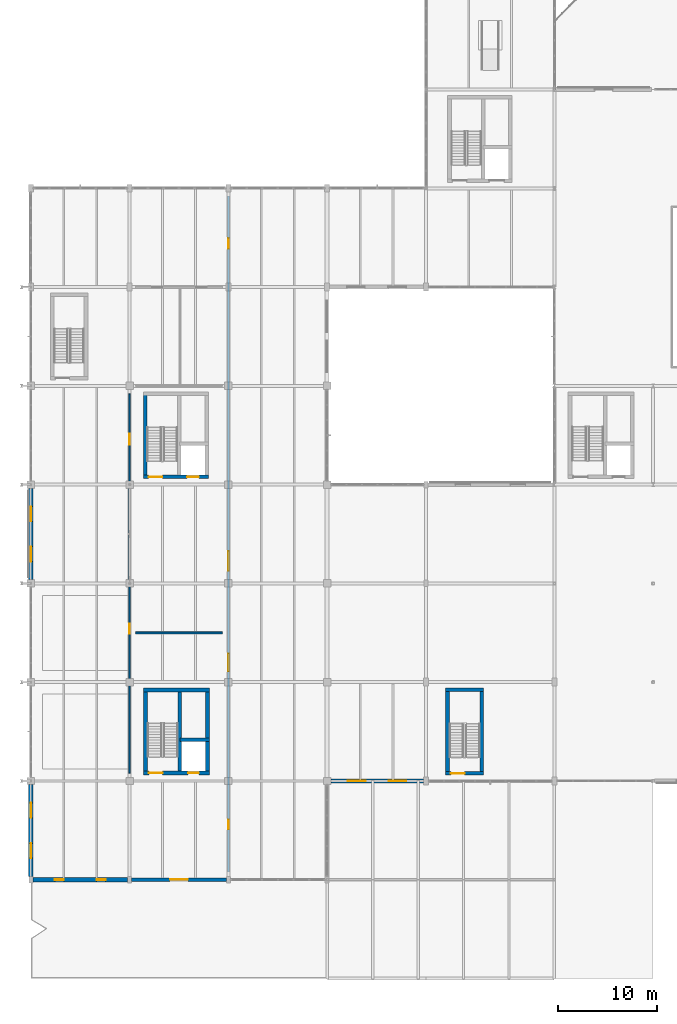
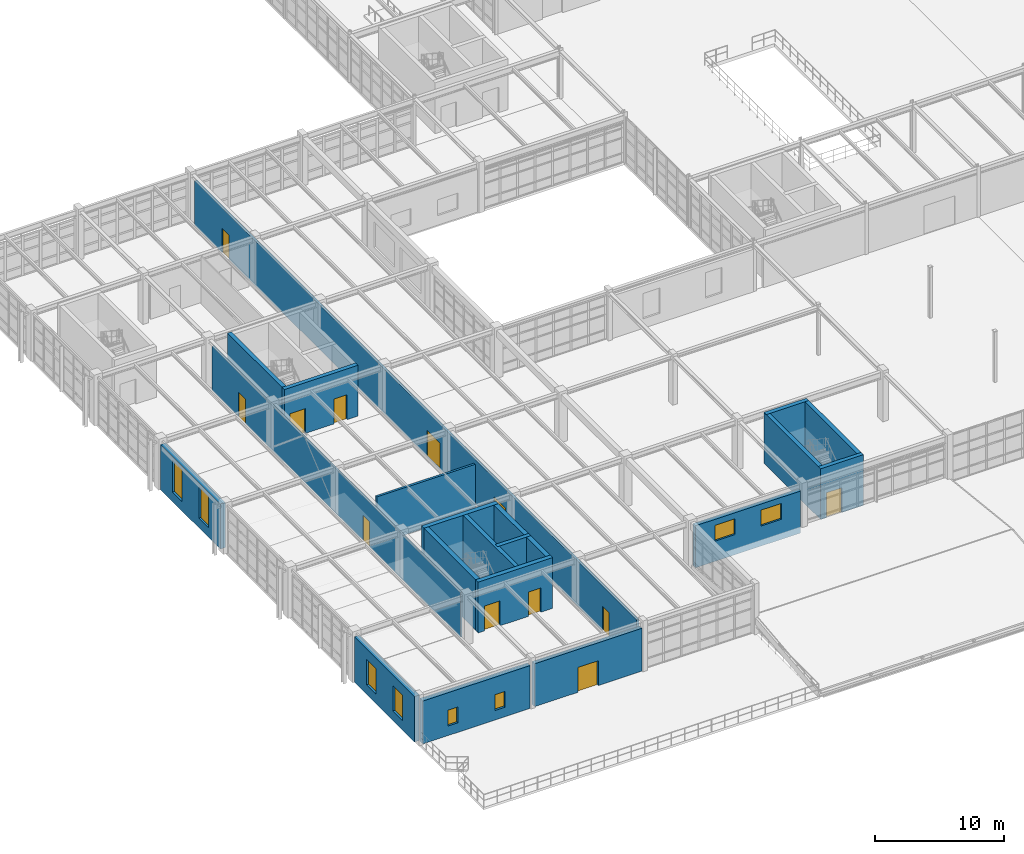
# One storey, part 116 of 139: 20 walls, 12 doors, 8 windows, 20 openings.
"""IFC4 building model written with IfcOpenShell, lengths in metres."""

from ifc_helpers import new_model, si_unit, direction, frame, frame_2d, origin, place, context, subcontext, project, spatial, rectangle, extrude, material, layer, layer_set, type_object, element, fill, save


model = new_model("IFC4")

# Units and contexts
model_context = context("Model", 3, precision=1e-05, world=origin(), true_north=direction((0.0, 1.0)))
body_context = subcontext(model_context, "Body", "Model", "MODEL_VIEW")
ifc_project = project(units=[si_unit("LENGTHUNIT", "METRE"), si_unit("AREAUNIT", "SQUARE_METRE"), si_unit("VOLUMEUNIT", "CUBIC_METRE"), si_unit("PLANEANGLEUNIT", "RADIAN"), si_unit("MASSUNIT", "GRAM", prefix="KILO"), si_unit("THERMODYNAMICTEMPERATUREUNIT", "KELVIN"), si_unit("POWERUNIT", "WATT")], contexts=[model_context])

# Site, building, storey
site_placement = place(None, origin())
site = spatial("IfcSite", under=ifc_project, at=site_placement, CompositionType="ELEMENT")
building_placement = place(site_placement, origin())
building = spatial("IfcBuilding", under=site, at=building_placement, Name="Korenveer Ferry Terminal", CompositionType="ELEMENT")
storey_placement = place(building_placement, frame((0.0, 0.0, 5.39990234375)))
storey = spatial("IfcBuildingStorey", under=building, at=storey_placement, Name="L01", CompositionType="ELEMENT", Elevation=5.39990234375)

# Wall, opening, door
ifc_material_1 = material(Name="Insulated clinker brick masonry", Category="masonry")
ifc_layer_1 = layer(ifc_material_1, 0.3798828125)
ifc_layer_set_1 = layer_set([ifc_layer_1], Name="Insulated clinker brick masonry")
wall_type_1 = type_object("IfcWallType", Name="ENV-WL-BRK380", PredefinedType="SOLIDWALL", material=ifc_layer_set_1)
wall_1_placement = place(storey_placement, frame((10.199951171875, 10.0, 0.0), z_axis=(0.0, 0.0, 1.0), x_axis=(1.0, 0.0, 0.0)))
wall_1 = element("IfcWall", 1, at=wall_1_placement, inside=storey, type_object=wall_type_1, Name="Exterior facade wall EWL-L01-036", PredefinedType="SOLIDWALL", context=body_context, shape_type="SweptSolid", body=[
    extrude(rectangle(XDim=9.60009765625, YDim=0.3798828125, at=frame_2d((4.800048828125, 0.0))), origin(), (0.0, 0.0, 1.0), 4.050048828125),
])
opening_1_placement = place(wall_1_placement, frame((3.89990234375, 0.0, 0.0)))
opening_1 = element("IfcOpeningElement", 2, at=opening_1_placement, cuts=wall_1, Name="Opening TD-101", PredefinedType="OPENING", context=body_context, shape_type="SweptSolid", body=[
    extrude(rectangle(XDim=1.800048828125, YDim=2.35009765625, at=frame_2d((0.89990234375, 1.175048828125))), frame((0.0, 0.199951171875, 0.0), z_axis=(0.0, -1.0, 0.0), x_axis=(1.0, 0.0, 0.0)), (0.0, 0.0, 1.0), 0.39990234375),
])
ifc_material_2 = material(Name="Thermally broken bronze glazed door", Category="aluminium")
door_type_1 = type_object("IfcDoorType", Name="ENV-DR-TERR180", OperationType="DOUBLE_DOOR_SINGLE_SWING", PredefinedType="DOOR", material=ifc_material_2)
door_1_placement = place(opening_1_placement, origin())
door_1 = element("IfcDoor", 3, at=door_1_placement, inside=storey, type_object=door_type_1, Name="West Forecourt Terrace Door TD-101", OperationType="DOUBLE_DOOR_SINGLE_SWING", OverallHeight=2.35009765625, OverallWidth=1.800048828125, PredefinedType="DOOR", context=body_context, shape_type="SweptSolid", body=[
    extrude(rectangle(XDim=1.800048828125, YDim=2.35009765625, at=frame_2d((0.89990234375, 1.175048828125))), frame((0.0, 0.02490234375, 0.0), z_axis=(0.0, -1.0, 0.0), x_axis=(1.0, 0.0, 0.0)), (0.0, 0.0, 1.0), 0.050048828125),
])
fill(opening_1, door_1)

# Wall, openings, windows
wall_2_placement = place(storey_placement, frame((30.375, 20.0, 0.0), z_axis=(0.0, 0.0, 1.0), x_axis=(1.0, 0.0, 0.0)))
wall_2 = element("IfcWall", 4, at=wall_2_placement, inside=storey, type_object=wall_type_1, Name="Exterior facade wall EWL-L01-039", PredefinedType="SOLIDWALL", context=body_context, shape_type="SweptSolid", body=[
    extrude(rectangle(XDim=9.375, YDim=0.3798828125, at=frame_2d((4.6875, 0.0))), origin(), (0.0, 0.0, 1.0), 3.97021484375),
])
opening_2_placement = place(wall_2_placement, frame((1.72509765625, 0.0, 1.89990234375)))
opening_2 = element("IfcOpeningElement", 5, at=opening_2_placement, cuts=wall_2, Name="Opening WN-17", PredefinedType="OPENING", context=body_context, shape_type="SweptSolid", body=[
    extrude(rectangle(XDim=1.800048828125, YDim=1.5, at=frame_2d((0.89990234375, 0.75))), frame((0.0, 0.199951171875, 0.0), z_axis=(0.0, -1.0, 0.0), x_axis=(1.0, 0.0, 0.0)), (0.0, 0.0, 1.0), 0.39990234375),
])
opening_3_placement = place(wall_2_placement, frame((5.85009765625, 0.0, 1.89990234375)))
opening_3 = element("IfcOpeningElement", 6, at=opening_3_placement, cuts=wall_2, Name="Opening WN-17", PredefinedType="OPENING", context=body_context, shape_type="SweptSolid", body=[
    extrude(rectangle(XDim=1.800048828125, YDim=1.5, at=frame_2d((0.89990234375, 0.75))), frame((0.0, 0.199951171875, 0.0), z_axis=(0.0, -1.0, 0.0), x_axis=(1.0, 0.0, 0.0)), (0.0, 0.0, 1.0), 0.39990234375),
])
ifc_material_3 = material(Name="Low-iron triple glazing in bronze frame", Category="glass")
window_type_1 = type_object("IfcWindowType", Name="ENV-WN-17", PartitioningType="SINGLE_PANEL", PredefinedType="WINDOW", material=ifc_material_3)
window_1_placement = place(opening_2_placement, origin())
window_1 = element("IfcWindow", 7, at=window_1_placement, inside=storey, type_object=window_type_1, Name="Lancet facade window 33", OverallHeight=1.5, OverallWidth=1.800048828125, PartitioningType="SINGLE_PANEL", PredefinedType="WINDOW", context=body_context, shape_type="SweptSolid", body=[
    extrude(rectangle(XDim=1.800048828125, YDim=1.5, at=frame_2d((0.89990234375, 0.75))), frame((0.0, 0.030029296875, 0.0), z_axis=(0.0, -1.0, 0.0), x_axis=(1.0, 0.0, 0.0)), (0.0, 0.0, 1.0), 0.06005859375),
])
fill(opening_2, window_1)
window_2_placement = place(opening_3_placement, origin())
window_2 = element("IfcWindow", 8, at=window_2_placement, inside=storey, type_object=window_type_1, Name="Lancet facade window 34", OverallHeight=1.5, OverallWidth=1.800048828125, PartitioningType="SINGLE_PANEL", PredefinedType="WINDOW", context=body_context, shape_type="SweptSolid", body=[
    extrude(rectangle(XDim=1.800048828125, YDim=1.5, at=frame_2d((0.89990234375, 0.75))), frame((0.0, 0.030029296875, 0.0), z_axis=(0.0, -1.0, 0.0), x_axis=(1.0, 0.0, 0.0)), (0.0, 0.0, 1.0), 0.06005859375),
])
fill(opening_3, window_2)

ifc_layer_2 = layer(ifc_material_1, 0.43994140625)
ifc_layer_set_2 = layer_set([ifc_layer_2], Name="Insulated clinker brick masonry")
wall_type_2 = type_object("IfcWallType", Name="ENV-WL-BRK440", PredefinedType="SOLIDWALL", material=ifc_layer_set_2)
wall_3_placement = place(storey_placement, frame((0.199951171875, 10.0, 0.0), z_axis=(0.0, 0.0, 1.0), x_axis=(1.0, 0.0, 0.0)))
wall_3 = element("IfcWall", 9, at=wall_3_placement, inside=storey, type_object=wall_type_2, Name="Exterior facade wall EWL-L01-035", PredefinedType="SOLIDWALL", context=body_context, shape_type="SweptSolid", body=[
    extrude(rectangle(XDim=9.60009765625, YDim=0.43994140625, at=frame_2d((4.800048828125, 0.0))), origin(), (0.0, 0.0, 1.0), 4.050048828125),
])
opening_4_placement = place(wall_3_placement, frame((2.238037109375, 0.0, 0.89990234375)))
opening_4 = element("IfcOpeningElement", 10, at=opening_4_placement, cuts=wall_3, Name="Opening WN-01", PredefinedType="OPENING", context=body_context, shape_type="SweptSolid", body=[
    extrude(rectangle(XDim=0.89990234375, YDim=1.5, at=frame_2d((0.449951171875, 0.75))), frame((0.0, 0.22998046875, 0.0), z_axis=(0.0, -1.0, 0.0), x_axis=(1.0, 0.0, 0.0)), (0.0, 0.0, 1.0), 0.4599609375),
])
opening_5_placement = place(wall_3_placement, frame((6.4619140625, 0.0, 0.89990234375)))
opening_5 = element("IfcOpeningElement", 11, at=opening_5_placement, cuts=wall_3, Name="Opening WN-01", PredefinedType="OPENING", context=body_context, shape_type="SweptSolid", body=[
    extrude(rectangle(XDim=0.89990234375, YDim=1.5, at=frame_2d((0.449951171875, 0.75))), frame((0.0, 0.22998046875, 0.0), z_axis=(0.0, -1.0, 0.0), x_axis=(1.0, 0.0, 0.0)), (0.0, 0.0, 1.0), 0.4599609375),
])
window_type_2 = type_object("IfcWindowType", Name="ENV-WN-01", PartitioningType="SINGLE_PANEL", PredefinedType="WINDOW", material=ifc_material_3)
window_3_placement = place(opening_4_placement, origin())
window_3 = element("IfcWindow", 12, at=window_3_placement, inside=storey, type_object=window_type_2, Name="Lancet facade window 29", OverallHeight=1.5, OverallWidth=0.89990234375, PartitioningType="SINGLE_PANEL", PredefinedType="WINDOW", context=body_context, shape_type="SweptSolid", body=[
    extrude(rectangle(XDim=0.89990234375, YDim=1.5, at=frame_2d((0.449951171875, 0.75))), frame((0.0, 0.030029296875, 0.0), z_axis=(0.0, -1.0, 0.0), x_axis=(1.0, 0.0, 0.0)), (0.0, 0.0, 1.0), 0.06005859375),
])
fill(opening_4, window_3)
window_4_placement = place(opening_5_placement, origin())
window_4 = element("IfcWindow", 13, at=window_4_placement, inside=storey, type_object=window_type_2, Name="Lancet facade window 30", OverallHeight=1.5, OverallWidth=0.89990234375, PartitioningType="SINGLE_PANEL", PredefinedType="WINDOW", context=body_context, shape_type="SweptSolid", body=[
    extrude(rectangle(XDim=0.89990234375, YDim=1.5, at=frame_2d((0.449951171875, 0.75))), frame((0.0, 0.030029296875, 0.0), z_axis=(0.0, -1.0, 0.0), x_axis=(1.0, 0.0, 0.0)), (0.0, 0.0, 1.0), 0.06005859375),
])
fill(opening_5, window_4)

wall_4_placement = place(storey_placement, frame((0.0, 10.324951171875, 0.0), z_axis=(0.0, 0.0, 1.0), x_axis=(0.0, 1.0, 0.0)))
wall_4 = element("IfcWall", 14, at=wall_4_placement, inside=storey, type_object=wall_type_2, Name="Exterior facade wall EWL-L01-048", PredefinedType="SOLIDWALL", context=body_context, shape_type="SweptSolid", body=[
    extrude(rectangle(XDim=9.300048828125, YDim=0.43994140625, at=frame_2d((4.64990234375, 0.0))), origin(), (0.0, 0.0, 1.0), 4.300048828125),
])
opening_6_placement = place(wall_4_placement, frame((1.85400390625, 0.0, 0.89990234375)))
opening_6 = element("IfcOpeningElement", 15, at=opening_6_placement, cuts=wall_4, Name="Opening WN-14", PredefinedType="OPENING", context=body_context, shape_type="SweptSolid", body=[
    extrude(rectangle(XDim=1.5, YDim=2.39990234375, at=frame_2d((0.75, 1.199951171875))), frame((0.0, 0.22998046875, 0.0), z_axis=(0.0, -1.0, 0.0), x_axis=(1.0, 0.0, 0.0)), (0.0, 0.0, 1.0), 0.4599609375),
])
opening_7_placement = place(wall_4_placement, frame((5.946044921875, 0.0, 0.89990234375)))
opening_7 = element("IfcOpeningElement", 16, at=opening_7_placement, cuts=wall_4, Name="Opening WN-14", PredefinedType="OPENING", context=body_context, shape_type="SweptSolid", body=[
    extrude(rectangle(XDim=1.5, YDim=2.39990234375, at=frame_2d((0.75, 1.199951171875))), frame((0.0, 0.22998046875, 0.0), z_axis=(0.0, -1.0, 0.0), x_axis=(1.0, 0.0, 0.0)), (0.0, 0.0, 1.0), 0.4599609375),
])
window_type_3 = type_object("IfcWindowType", Name="ENV-WN-14", PartitioningType="SINGLE_PANEL", PredefinedType="WINDOW", material=ifc_material_3)
window_5_placement = place(opening_6_placement, origin())
window_5 = element("IfcWindow", 17, at=window_5_placement, inside=storey, type_object=window_type_3, Name="Lancet facade window 47", OverallHeight=2.39990234375, OverallWidth=1.5, PartitioningType="SINGLE_PANEL", PredefinedType="WINDOW", context=body_context, shape_type="SweptSolid", body=[
    extrude(rectangle(XDim=1.5, YDim=2.39990234375, at=frame_2d((0.75, 1.199951171875))), frame((0.0, 0.030029296875, 0.0), z_axis=(0.0, -1.0, 0.0), x_axis=(1.0, 0.0, 0.0)), (0.0, 0.0, 1.0), 0.06005859375),
])
fill(opening_6, window_5)
window_6_placement = place(opening_7_placement, origin())
window_6 = element("IfcWindow", 18, at=window_6_placement, inside=storey, type_object=window_type_3, Name="Lancet facade window 48", OverallHeight=2.39990234375, OverallWidth=1.5, PartitioningType="SINGLE_PANEL", PredefinedType="WINDOW", context=body_context, shape_type="SweptSolid", body=[
    extrude(rectangle(XDim=1.5, YDim=2.39990234375, at=frame_2d((0.75, 1.199951171875))), frame((0.0, 0.030029296875, 0.0), z_axis=(0.0, -1.0, 0.0), x_axis=(1.0, 0.0, 0.0)), (0.0, 0.0, 1.0), 0.06005859375),
])
fill(opening_7, window_6)

wall_5_placement = place(storey_placement, frame((0.0, 40.375, 0.0), z_axis=(0.0, 0.0, 1.0), x_axis=(0.0, 1.0, 0.0)))
wall_5 = element("IfcWall", 19, at=wall_5_placement, inside=storey, type_object=wall_type_2, Name="Exterior facade wall EWL-L01-049", PredefinedType="SOLIDWALL", context=body_context, shape_type="SweptSolid", body=[
    extrude(rectangle(XDim=9.25, YDim=0.43994140625, at=frame_2d((4.625, 0.0))), origin(), (0.0, 0.0, 1.0), 4.27001953125),
])
opening_8_placement = place(wall_5_placement, frame((1.840087890625, 0.0, 0.89990234375)))
opening_8 = element("IfcOpeningElement", 20, at=opening_8_placement, cuts=wall_5, Name="Opening WN-16", PredefinedType="OPENING", context=body_context, shape_type="SweptSolid", body=[
    extrude(rectangle(XDim=1.5, YDim=3.0, at=frame_2d((0.75, 1.5))), frame((0.0, 0.22998046875, 0.0), z_axis=(0.0, -1.0, 0.0), x_axis=(1.0, 0.0, 0.0)), (0.0, 0.0, 1.0), 0.4599609375),
])
opening_9_placement = place(wall_5_placement, frame((5.909912109375, 0.0, 0.89990234375)))
opening_9 = element("IfcOpeningElement", 21, at=opening_9_placement, cuts=wall_5, Name="Opening WN-16", PredefinedType="OPENING", context=body_context, shape_type="SweptSolid", body=[
    extrude(rectangle(XDim=1.5, YDim=3.0, at=frame_2d((0.75, 1.5))), frame((0.0, 0.22998046875, 0.0), z_axis=(0.0, -1.0, 0.0), x_axis=(1.0, 0.0, 0.0)), (0.0, 0.0, 1.0), 0.4599609375),
])
window_type_4 = type_object("IfcWindowType", Name="ENV-WN-16", PartitioningType="SINGLE_PANEL", PredefinedType="WINDOW", material=ifc_material_3)
window_7_placement = place(opening_8_placement, origin())
window_7 = element("IfcWindow", 22, at=window_7_placement, inside=storey, type_object=window_type_4, Name="Lancet facade window 49", OverallHeight=3.0, OverallWidth=1.5, PartitioningType="SINGLE_PANEL", PredefinedType="WINDOW", context=body_context, shape_type="SweptSolid", body=[
    extrude(rectangle(XDim=1.5, YDim=3.0, at=frame_2d((0.75, 1.5))), frame((0.0, 0.030029296875, 0.0), z_axis=(0.0, -1.0, 0.0), x_axis=(1.0, 0.0, 0.0)), (0.0, 0.0, 1.0), 0.06005859375),
])
fill(opening_8, window_7)
window_8_placement = place(opening_9_placement, origin())
window_8 = element("IfcWindow", 23, at=window_8_placement, inside=storey, type_object=window_type_4, Name="Lancet facade window 50", OverallHeight=3.0, OverallWidth=1.5, PartitioningType="SINGLE_PANEL", PredefinedType="WINDOW", context=body_context, shape_type="SweptSolid", body=[
    extrude(rectangle(XDim=1.5, YDim=3.0, at=frame_2d((0.75, 1.5))), frame((0.0, 0.030029296875, 0.0), z_axis=(0.0, -1.0, 0.0), x_axis=(1.0, 0.0, 0.0)), (0.0, 0.0, 1.0), 0.06005859375),
])
fill(opening_9, window_8)

# Wall, openings, doors
ifc_material_4 = material(Name="Acoustic fire-rated twin-stud partition", Category="other")
ifc_layer_3 = layer(ifc_material_4, 0.199951171875)
ifc_layer_set_3 = layer_set([ifc_layer_3], Name="Acoustic fire-rated twin-stud partition")
wall_type_3 = type_object("IfcWallType", Name="INT-WL-COMP200", PredefinedType="PARTITIONING", material=ifc_layer_set_3)
wall_6_placement = place(storey_placement, frame((20.0, 10.800048828125, 0.0), z_axis=(0.0, 0.0, 1.0), x_axis=(0.0, 1.0, 0.0)))
wall_6 = element("IfcWall", 24, at=wall_6_placement, inside=storey, type_object=wall_type_3, Name="Interior partition PWL-L01-023", PredefinedType="PARTITIONING", context=body_context, shape_type="SweptSolid", body=[
    extrude(rectangle(XDim=68.39990234375, YDim=0.199951171875, at=frame_2d((34.199951171875, 0.0))), origin(), (0.0, 0.0, 1.0), 4.22998046875),
])
opening_10_placement = place(wall_6_placement, frame((4.2880859375, 0.0, 0.0)))
opening_10 = element("IfcOpeningElement", 25, at=opening_10_placement, cuts=wall_6, Name="Opening ID-027", PredefinedType="OPENING", context=body_context, shape_type="SweptSolid", body=[
    extrude(rectangle(XDim=1.0, YDim=2.300048828125, at=frame_2d((0.5, 1.14990234375))), frame((0.0, 0.10986328125, 0.0), z_axis=(0.0, -1.0, 0.0), x_axis=(1.0, 0.0, 0.0)), (0.0, 0.0, 1.0), 0.219970703125),
])
opening_11_placement = place(wall_6_placement, frame((20.303955078125, 0.0, 0.0)))
opening_11 = element("IfcOpeningElement", 26, at=opening_11_placement, cuts=wall_6, Name="Opening ID-028", PredefinedType="OPENING", context=body_context, shape_type="SweptSolid", body=[
    extrude(rectangle(XDim=1.800048828125, YDim=2.449951171875, at=frame_2d((0.89990234375, 1.22509765625))), frame((0.0, 0.10986328125, 0.0), z_axis=(0.0, -1.0, 0.0), x_axis=(1.0, 0.0, 0.0)), (0.0, 0.0, 1.0), 0.219970703125),
])
opening_12_placement = place(wall_6_placement, frame((30.464111328125, 0.0, 0.0)))
opening_12 = element("IfcOpeningElement", 27, at=opening_12_placement, cuts=wall_6, Name="Opening ID-029", PredefinedType="OPENING", context=body_context, shape_type="SweptSolid", body=[
    extrude(rectangle(XDim=2.0, YDim=2.449951171875, at=frame_2d((1.0, 1.22509765625))), frame((0.0, 0.10986328125, 0.0), z_axis=(0.0, -1.0, 0.0), x_axis=(1.0, 0.0, 0.0)), (0.0, 0.0, 1.0), 0.219970703125),
])
opening_13_placement = place(wall_6_placement, frame((63.0869140625, 0.0, 0.0)))
opening_13 = element("IfcOpeningElement", 28, at=opening_13_placement, cuts=wall_6, Name="Opening ID-030", PredefinedType="OPENING", context=body_context, shape_type="SweptSolid", body=[
    extrude(rectangle(XDim=1.050048828125, YDim=2.300048828125, at=frame_2d((0.52490234375, 1.14990234375))), frame((0.0, 0.10986328125, 0.0), z_axis=(0.0, -1.0, 0.0), x_axis=(1.0, 0.0, 0.0)), (0.0, 0.0, 1.0), 0.219970703125),
])
ifc_material_5 = material(Name="Solid hardwood and steel acoustic door", Category="steel")
door_type_2 = type_object("IfcDoorType", Name="INT-DR-CON200", OperationType="DOUBLE_DOOR_SINGLE_SWING", PredefinedType="DOOR", material=ifc_material_5)
door_2_placement = place(opening_12_placement, origin())
door_2 = element("IfcDoor", 29, at=door_2_placement, inside=storey, type_object=door_type_2, Name="Staff Canteen Entrance", OperationType="DOUBLE_DOOR_SINGLE_SWING", OverallHeight=2.449951171875, OverallWidth=2.0, PredefinedType="DOOR", context=body_context, shape_type="SweptSolid", body=[
    extrude(rectangle(XDim=2.0, YDim=2.449951171875, at=frame_2d((1.0, 1.22509765625))), frame((0.0, 0.02490234375, 0.0), z_axis=(0.0, -1.0, 0.0), x_axis=(1.0, 0.0, 0.0)), (0.0, 0.0, 1.0), 0.050048828125),
])
fill(opening_12, door_2)
door_type_3 = type_object("IfcDoorType", Name="INT-DR-FFL180", OperationType="DOUBLE_DOOR_SINGLE_SWING", PredefinedType="DOOR", material=ifc_material_5)
door_3_placement = place(opening_11_placement, origin())
door_3 = element("IfcDoor", 30, at=door_3_placement, inside=storey, type_object=door_type_3, Name="L01 West Firefighting Lobby Door", OperationType="DOUBLE_DOOR_SINGLE_SWING", OverallHeight=2.449951171875, OverallWidth=1.800048828125, PredefinedType="DOOR", context=body_context, shape_type="SweptSolid", body=[
    extrude(rectangle(XDim=1.800048828125, YDim=2.449951171875, at=frame_2d((0.89990234375, 1.22509765625))), frame((0.0, 0.02490234375, 0.0), z_axis=(0.0, -1.0, 0.0), x_axis=(1.0, 0.0, 0.0)), (0.0, 0.0, 1.0), 0.050048828125),
])
fill(opening_11, door_3)
door_type_4 = type_object("IfcDoorType", Name="INT-DR-RM100A", OperationType="NOTDEFINED", PredefinedType="DOOR", material=ifc_material_5)
door_4_placement = place(opening_10_placement, origin())
door_4 = element("IfcDoor", 31, at=door_4_placement, inside=storey, type_object=door_type_4, Name="L01 Maritime Operations Door", OperationType="SINGLE_SWING_RIGHT", OverallHeight=2.300048828125, OverallWidth=1.0, PredefinedType="DOOR", context=body_context, shape_type="SweptSolid", body=[
    extrude(rectangle(XDim=1.0, YDim=2.300048828125, at=frame_2d((0.5, 1.14990234375))), frame((0.0, 0.02490234375, 0.0), z_axis=(0.0, -1.0, 0.0), x_axis=(1.0, 0.0, 0.0)), (0.0, 0.0, 1.0), 0.050048828125),
])
fill(opening_10, door_4)
door_type_5 = type_object("IfcDoorType", Name="INT-DR-RM105A", OperationType="NOTDEFINED", PredefinedType="DOOR", material=ifc_material_5)
door_5_placement = place(opening_13_placement, origin())
door_5 = element("IfcDoor", 32, at=door_5_placement, inside=storey, type_object=door_type_5, Name="Port Administration Office Door", OperationType="SINGLE_SWING_LEFT", OverallHeight=2.300048828125, OverallWidth=1.050048828125, PredefinedType="DOOR", context=body_context, shape_type="SweptSolid", body=[
    extrude(rectangle(XDim=1.050048828125, YDim=2.300048828125, at=frame_2d((0.52490234375, 1.14990234375))), frame((0.0, 0.02490234375, 0.0), z_axis=(0.0, -1.0, 0.0), x_axis=(1.0, 0.0, 0.0)), (0.0, 0.0, 1.0), 0.050048828125),
])
fill(opening_13, door_5)

# Walls
wall_7_placement = place(storey_placement, frame((10.60009765625, 35.0, 0.0), z_axis=(0.0, 0.0, 1.0), x_axis=(1.0, 0.0, 0.0)))
element("IfcWall", 33, at=wall_7_placement, inside=storey, type_object=wall_type_3, Name="Interior partition PWL-L01-025", PredefinedType="PARTITIONING", context=body_context, shape_type="SweptSolid", body=[
    extrude(rectangle(XDim=8.7998046875, YDim=0.199951171875, at=frame_2d((4.39990234375, 0.0))), origin(), (0.0, 0.0, 1.0), 4.460205078125),
])
ifc_material_6 = material(Name="Concrete C45/55", Category="concrete")
ifc_layer_4 = layer(ifc_material_6, 0.360107421875)
ifc_layer_set_4 = layer_set([ifc_layer_4], Name="Concrete C45/55")
wall_type_4 = type_object("IfcWallType", Name="INT-WL-CORE360", PredefinedType="SHEAR", material=ifc_layer_set_4)
wall_8_placement = place(storey_placement, frame((15.080078125, 20.60009765625, 0.0), z_axis=(0.0, 0.0, 1.0), x_axis=(0.0, 1.0, 0.0)))
element("IfcWall", 34, at=wall_8_placement, inside=storey, type_object=wall_type_4, Name="West Firefighting Core K1 shaft divider wall L01", PredefinedType="SHEAR", context=body_context, shape_type="SweptSolid", body=[
    extrude(rectangle(XDim=8.7998046875, YDim=0.360107421875, at=frame_2d((4.39990234375, 0.0))), origin(), (0.0, 0.0, 1.0), 4.800048828125),
])
wall_9_placement = place(storey_placement, frame((15.080078125, 24.179931640625, 0.0), z_axis=(0.0, 0.0, 1.0), x_axis=(1.0, 0.0, 0.0)))
element("IfcWall", 35, at=wall_9_placement, inside=storey, type_object=wall_type_4, Name="West Firefighting Core K1 lift shaft wall L01", PredefinedType="SHEAR", context=body_context, shape_type="SweptSolid", body=[
    extrude(rectangle(XDim=2.97998046875, YDim=0.360107421875, at=frame_2d((1.489990234375, 0.0))), origin(), (0.0, 0.0, 1.0), 4.800048828125),
])

# Wall, openings, doors
wall_10_placement = place(storey_placement, frame((11.39990234375, 50.780029296875, 0.0), z_axis=(0.0, 0.0, 1.0), x_axis=(1.0, 0.0, 0.0)))
wall_10 = element("IfcWall", 36, at=wall_10_placement, inside=storey, type_object=wall_type_4, Name="West Operations Core K2 south shear wall L01", PredefinedType="SHEAR", context=body_context, shape_type="SweptSolid", body=[
    extrude(rectangle(XDim=6.580078125, YDim=0.360107421875, at=frame_2d((3.2900390625, 0.0))), origin(), (0.0, 0.0, 1.0), 4.800048828125),
])
opening_14_placement = place(wall_10_placement, frame((0.510009765625, 0.0, 0.0)))
opening_14 = element("IfcOpeningElement", 37, at=opening_14_placement, cuts=wall_10, Name="Opening SD-07", PredefinedType="OPENING", context=body_context, shape_type="SweptSolid", body=[
    extrude(rectangle(XDim=1.39990234375, YDim=2.35009765625, at=frame_2d((0.699951171875, 1.175048828125))), frame((0.0, 0.18994140625, 0.0), z_axis=(0.0, -1.0, 0.0), x_axis=(1.0, 0.0, 0.0)), (0.0, 0.0, 1.0), 0.380126953125),
])
opening_15_placement = place(wall_10_placement, frame((4.419921875, 0.0, 0.0)))
opening_15 = element("IfcOpeningElement", 38, at=opening_15_placement, cuts=wall_10, Name="Opening LD-07", PredefinedType="OPENING", context=body_context, shape_type="SweptSolid", body=[
    extrude(rectangle(XDim=1.199951171875, YDim=2.35009765625, at=frame_2d((0.60009765625, 1.175048828125))), frame((0.0, 0.18994140625, 0.0), z_axis=(0.0, -1.0, 0.0), x_axis=(1.0, 0.0, 0.0)), (0.0, 0.0, 1.0), 0.380126953125),
])
door_type_6 = type_object("IfcDoorType", Name="INT-DR-LD120", OperationType="SLIDING_TO_LEFT", PredefinedType="DOOR", material=ifc_material_5)
door_6_placement = place(opening_15_placement, origin())
door_6 = element("IfcDoor", 39, at=door_6_placement, inside=storey, type_object=door_type_6, Name="Lift LP1 Sliding Landing Door L01", OperationType="SLIDING_TO_LEFT", OverallHeight=2.35009765625, OverallWidth=1.199951171875, PredefinedType="DOOR", context=body_context, shape_type="SweptSolid", body=[
    extrude(rectangle(XDim=1.199951171875, YDim=2.35009765625, at=frame_2d((0.60009765625, 1.175048828125))), frame((0.0, 0.02490234375, 0.0), z_axis=(0.0, -1.0, 0.0), x_axis=(1.0, 0.0, 0.0)), (0.0, 0.0, 1.0), 0.050048828125),
])
fill(opening_15, door_6)
door_type_7 = type_object("IfcDoorType", Name="INT-DR-ST140", OperationType="NOTDEFINED", PredefinedType="DOOR", material=ifc_material_5)
door_7_placement = place(opening_14_placement, origin())
door_7 = element("IfcDoor", 40, at=door_7_placement, inside=storey, type_object=door_type_7, Name="ST02 Stair Door L01", OperationType="SINGLE_SWING_LEFT", OverallHeight=2.35009765625, OverallWidth=1.39990234375, PredefinedType="DOOR", context=body_context, shape_type="SweptSolid", body=[
    extrude(rectangle(XDim=1.39990234375, YDim=2.35009765625, at=frame_2d((0.699951171875, 1.175048828125))), frame((0.0, 0.02490234375, 0.0), z_axis=(0.0, -1.0, 0.0), x_axis=(1.0, 0.0, 0.0)), (0.0, 0.0, 1.0), 0.050048828125),
])
fill(opening_14, door_7)

# Wall
wall_11_placement = place(storey_placement, frame((11.580078125, 50.60009765625, 0.0), z_axis=(0.0, 0.0, 1.0), x_axis=(0.0, 1.0, 0.0)))
element("IfcWall", 41, at=wall_11_placement, inside=storey, type_object=wall_type_4, Name="West Operations Core K2 west shear wall L01", PredefinedType="SHEAR", context=body_context, shape_type="SweptSolid", body=[
    extrude(rectangle(XDim=8.7998046875, YDim=0.360107421875, at=frame_2d((4.39990234375, 0.0))), origin(), (0.0, 0.0, 1.0), 4.800048828125),
])

# Wall, opening, door
wall_12_placement = place(storey_placement, frame((42.0, 20.780029296875, 0.0), z_axis=(0.0, 0.0, 1.0), x_axis=(1.0, 0.0, 0.0)))
wall_12 = element("IfcWall", 42, at=wall_12_placement, inside=storey, type_object=wall_type_4, Name="Arrivals West Stair Core K9 south shear wall L01", PredefinedType="SHEAR", context=body_context, shape_type="SweptSolid", body=[
    extrude(rectangle(XDim=3.820068359375, YDim=0.360107421875, at=frame_2d((1.91015625, 0.0))), origin(), (0.0, 0.0, 1.0), 4.800048828125),
])
opening_16_placement = place(wall_12_placement, frame((0.510009765625, 0.0, 0.0)))
opening_16 = element("IfcOpeningElement", 43, at=opening_16_placement, cuts=wall_12, Name="Opening SD-30", PredefinedType="OPENING", context=body_context, shape_type="SweptSolid", body=[
    extrude(rectangle(XDim=1.39990234375, YDim=2.35009765625, at=frame_2d((0.699951171875, 1.175048828125))), frame((0.0, 0.18994140625, 0.0), z_axis=(0.0, -1.0, 0.0), x_axis=(1.0, 0.0, 0.0)), (0.0, 0.0, 1.0), 0.380126953125),
])
door_8_placement = place(opening_16_placement, origin())
door_8 = element("IfcDoor", 44, at=door_8_placement, inside=storey, type_object=door_type_7, Name="ST09 Stair Door L01", OperationType="SINGLE_SWING_RIGHT", OverallHeight=2.35009765625, OverallWidth=1.39990234375, PredefinedType="DOOR", context=body_context, shape_type="SweptSolid", body=[
    extrude(rectangle(XDim=1.39990234375, YDim=2.35009765625, at=frame_2d((0.699951171875, 1.175048828125))), frame((0.0, 0.02490234375, 0.0), z_axis=(0.0, -1.0, 0.0), x_axis=(1.0, 0.0, 0.0)), (0.0, 0.0, 1.0), 0.050048828125),
])
fill(opening_16, door_8)

# Walls
wall_13_placement = place(storey_placement, frame((42.0, 29.219970703125, 0.0), z_axis=(0.0, 0.0, 1.0), x_axis=(1.0, 0.0, 0.0)))
element("IfcWall", 45, at=wall_13_placement, inside=storey, type_object=wall_type_4, Name="Arrivals West Stair Core K9 north shear wall L01", PredefinedType="SHEAR", context=body_context, shape_type="SweptSolid", body=[
    extrude(rectangle(XDim=3.820068359375, YDim=0.360107421875, at=frame_2d((1.91015625, 0.0))), origin(), (0.0, 0.0, 1.0), 4.800048828125),
])
for number, where, z_axis, x_axis, name in (
    (46, (42.179931640625, 20.60009765625, 0.0), (0.0, 0.0, 1.0), (0.0, 1.0, 0.0), "Arrivals West Stair Core K9 west shear wall L01"),
    (47, (45.639892578125, 20.60009765625, 0.0), (0.0, 0.0, 1.0), (0.0, 1.0, 0.0), "Arrivals West Stair Core K9 east shear wall L01"),
):
    element("IfcWall", number, at=place(storey_placement, frame(where, z_axis=z_axis, x_axis=x_axis)), inside=storey, type_object=wall_type_4, Name=name, PredefinedType="SHEAR", context=body_context, shape_type="SweptSolid", body=[
        extrude(rectangle(XDim=8.7998046875, YDim=0.360107421875, at=frame_2d((4.39990234375, 0.0))), origin(), (0.0, 0.0, 1.0), 4.800048828125),
    ])

# Wall, openings, doors
ifc_layer_5 = layer(ifc_material_6, 0.39990234375)
ifc_layer_set_5 = layer_set([ifc_layer_5], Name="Concrete C45/55")
wall_type_5 = type_object("IfcWallType", Name="INT-WL-CORE400", PredefinedType="SHEAR", material=ifc_layer_set_5)
wall_14_placement = place(storey_placement, frame((11.39990234375, 20.800048828125, 0.0), z_axis=(0.0, 0.0, 1.0), x_axis=(1.0, 0.0, 0.0)))
wall_14 = element("IfcWall", 48, at=wall_14_placement, inside=storey, type_object=wall_type_5, Name="West Firefighting Core K1 south shear wall L01", PredefinedType="SHEAR", context=body_context, shape_type="SweptSolid", body=[
    extrude(rectangle(XDim=6.66015625, YDim=0.39990234375, at=frame_2d((3.330078125, 0.0))), origin(), (0.0, 0.0, 1.0), 4.800048828125),
])
opening_17_placement = place(wall_14_placement, frame((0.550048828125, 0.0, 0.0)))
opening_17 = element("IfcOpeningElement", 49, at=opening_17_placement, cuts=wall_14, Name="Opening SD-02", PredefinedType="OPENING", context=body_context, shape_type="SweptSolid", body=[
    extrude(rectangle(XDim=1.39990234375, YDim=2.35009765625, at=frame_2d((0.699951171875, 1.175048828125))), frame((0.0, 0.2099609375, 0.0), z_axis=(0.0, -1.0, 0.0), x_axis=(1.0, 0.0, 0.0)), (0.0, 0.0, 1.0), 0.419921875),
])
opening_18_placement = place(wall_14_placement, frame((4.510009765625, 0.0, 0.0)))
opening_18 = element("IfcOpeningElement", 50, at=opening_18_placement, cuts=wall_14, Name="Opening LD-02", PredefinedType="OPENING", context=body_context, shape_type="SweptSolid", body=[
    extrude(rectangle(XDim=1.10009765625, YDim=2.300048828125, at=frame_2d((0.550048828125, 1.14990234375))), frame((0.0, 0.2099609375, 0.0), z_axis=(0.0, -1.0, 0.0), x_axis=(1.0, 0.0, 0.0)), (0.0, 0.0, 1.0), 0.419921875),
])
door_type_8 = type_object("IfcDoorType", Name="INT-DR-LD110", OperationType="SLIDING_TO_LEFT", PredefinedType="DOOR", material=ifc_material_5)
door_9_placement = place(opening_18_placement, origin())
door_9 = element("IfcDoor", 51, at=door_9_placement, inside=storey, type_object=door_type_8, Name="Lift FL1 Sliding Landing Door L01", OperationType="SLIDING_TO_LEFT", OverallHeight=2.300048828125, OverallWidth=1.10009765625, PredefinedType="DOOR", context=body_context, shape_type="SweptSolid", body=[
    extrude(rectangle(XDim=1.10009765625, YDim=2.300048828125, at=frame_2d((0.550048828125, 1.14990234375))), frame((0.0, 0.02490234375, 0.0), z_axis=(0.0, -1.0, 0.0), x_axis=(1.0, 0.0, 0.0)), (0.0, 0.0, 1.0), 0.050048828125),
])
fill(opening_18, door_9)
door_10_placement = place(opening_17_placement, origin())
door_10 = element("IfcDoor", 52, at=door_10_placement, inside=storey, type_object=door_type_7, Name="ST01 Stair Door L01", OperationType="SINGLE_SWING_RIGHT", OverallHeight=2.35009765625, OverallWidth=1.39990234375, PredefinedType="DOOR", context=body_context, shape_type="SweptSolid", body=[
    extrude(rectangle(XDim=1.39990234375, YDim=2.35009765625, at=frame_2d((0.699951171875, 1.175048828125))), frame((0.0, 0.02490234375, 0.0), z_axis=(0.0, -1.0, 0.0), x_axis=(1.0, 0.0, 0.0)), (0.0, 0.0, 1.0), 0.050048828125),
])
fill(opening_17, door_10)

# Walls
wall_15_placement = place(storey_placement, frame((11.39990234375, 29.199951171875, 0.0), z_axis=(0.0, 0.0, 1.0), x_axis=(1.0, 0.0, 0.0)))
element("IfcWall", 53, at=wall_15_placement, inside=storey, type_object=wall_type_5, Name="West Firefighting Core K1 north shear wall L01", PredefinedType="SHEAR", context=body_context, shape_type="SweptSolid", body=[
    extrude(rectangle(XDim=6.66015625, YDim=0.39990234375, at=frame_2d((3.330078125, 0.0))), origin(), (0.0, 0.0, 1.0), 4.800048828125),
])
for number, where, z_axis, x_axis, name in (
    (54, (11.60009765625, 20.60009765625, 0.0), (0.0, 0.0, 1.0), (0.0, 1.0, 0.0), "West Firefighting Core K1 west shear wall L01"),
    (55, (17.860107421875, 20.60009765625, 0.0), (0.0, 0.0, 1.0), (0.0, 1.0, 0.0), "West Firefighting Core K1 east shear wall L01"),
):
    element("IfcWall", number, at=place(storey_placement, frame(where, z_axis=z_axis, x_axis=x_axis)), inside=storey, type_object=wall_type_5, Name=name, PredefinedType="SHEAR", context=body_context, shape_type="SweptSolid", body=[
        extrude(rectangle(XDim=8.7998046875, YDim=0.39990234375, at=frame_2d((4.39990234375, 0.0))), origin(), (0.0, 0.0, 1.0), 4.800048828125),
    ])

# Wall, openings, doors
ifc_material_7 = material(Name="Acoustic gypsum board stud partition", Category="other")
ifc_layer_6 = layer(ifc_material_7, 0.14990234375)
ifc_layer_set_6 = layer_set([ifc_layer_6], Name="Acoustic gypsum board stud partition")
wall_type_6 = type_object("IfcWallType", Name="INT-WL-PART150", PredefinedType="PARTITIONING", material=ifc_layer_set_6)
wall_16_placement = place(storey_placement, frame((10.0, 20.800048828125, 0.0), z_axis=(0.0, 0.0, 1.0), x_axis=(0.0, 1.0, 0.0)))
wall_16 = element("IfcWall", 56, at=wall_16_placement, inside=storey, type_object=wall_type_6, Name="Interior partition PWL-L01-024", PredefinedType="PARTITIONING", context=body_context, shape_type="SweptSolid", body=[
    extrude(rectangle(XDim=38.39990234375, YDim=0.14990234375, at=frame_2d((19.199951171875, 0.0))), origin(), (0.0, 0.0, 1.0), 4.22998046875),
])
opening_19_placement = place(wall_16_placement, frame((14.092041015625, 0.0, 0.0)))
opening_19 = element("IfcOpeningElement", 57, at=opening_19_placement, cuts=wall_16, Name="Opening ID-031", PredefinedType="OPENING", context=body_context, shape_type="SweptSolid", body=[
    extrude(rectangle(XDim=1.0, YDim=2.39990234375, at=frame_2d((0.5, 1.199951171875))), frame((0.0, 0.0849609375, 0.0), z_axis=(0.0, -1.0, 0.0), x_axis=(1.0, 0.0, 0.0)), (0.0, 0.0, 1.0), 0.169921875),
])
opening_20_placement = place(wall_16_placement, frame((33.241943359375, 0.0, 0.0)))
opening_20 = element("IfcOpeningElement", 58, at=opening_20_placement, cuts=wall_16, Name="Opening ID-032", PredefinedType="OPENING", context=body_context, shape_type="SweptSolid", body=[
    extrude(rectangle(XDim=1.10009765625, YDim=2.300048828125, at=frame_2d((0.550048828125, 1.14990234375))), frame((0.0, 0.0849609375, 0.0), z_axis=(0.0, -1.0, 0.0), x_axis=(1.0, 0.0, 0.0)), (0.0, 0.0, 1.0), 0.169921875),
])
door_type_9 = type_object("IfcDoorType", Name="INT-DR-RM100BU", OperationType="NOTDEFINED", PredefinedType="DOOR", material=ifc_material_5)
door_11_placement = place(opening_19_placement, origin())
door_11 = element("IfcDoor", 59, at=door_11_placement, inside=storey, type_object=door_type_9, Name="Ferry Dispatch Suite Door", OperationType="SINGLE_SWING_RIGHT", OverallHeight=2.39990234375, OverallWidth=1.0, PredefinedType="DOOR", context=body_context, shape_type="SweptSolid", body=[
    extrude(rectangle(XDim=1.0, YDim=2.39990234375, at=frame_2d((0.5, 1.199951171875))), frame((0.0, 0.02490234375, 0.0), z_axis=(0.0, -1.0, 0.0), x_axis=(1.0, 0.0, 0.0)), (0.0, 0.0, 1.0), 0.050048828125),
])
fill(opening_19, door_11)
door_type_10 = type_object("IfcDoorType", Name="INT-DR-RM110A", OperationType="NOTDEFINED", PredefinedType="DOOR", material=ifc_material_5)
door_12_placement = place(opening_20_placement, origin())
door_12 = element("IfcDoor", 60, at=door_12_placement, inside=storey, type_object=door_type_10, Name="Border Police Suite Door", OperationType="SINGLE_SWING_LEFT", OverallHeight=2.300048828125, OverallWidth=1.10009765625, PredefinedType="DOOR", context=body_context, shape_type="SweptSolid", body=[
    extrude(rectangle(XDim=1.10009765625, YDim=2.300048828125, at=frame_2d((0.550048828125, 1.14990234375))), frame((0.0, 0.02490234375, 0.0), z_axis=(0.0, -1.0, 0.0), x_axis=(1.0, 0.0, 0.0)), (0.0, 0.0, 1.0), 0.050048828125),
])
fill(opening_20, door_12)

save(model, "model.ifc")
